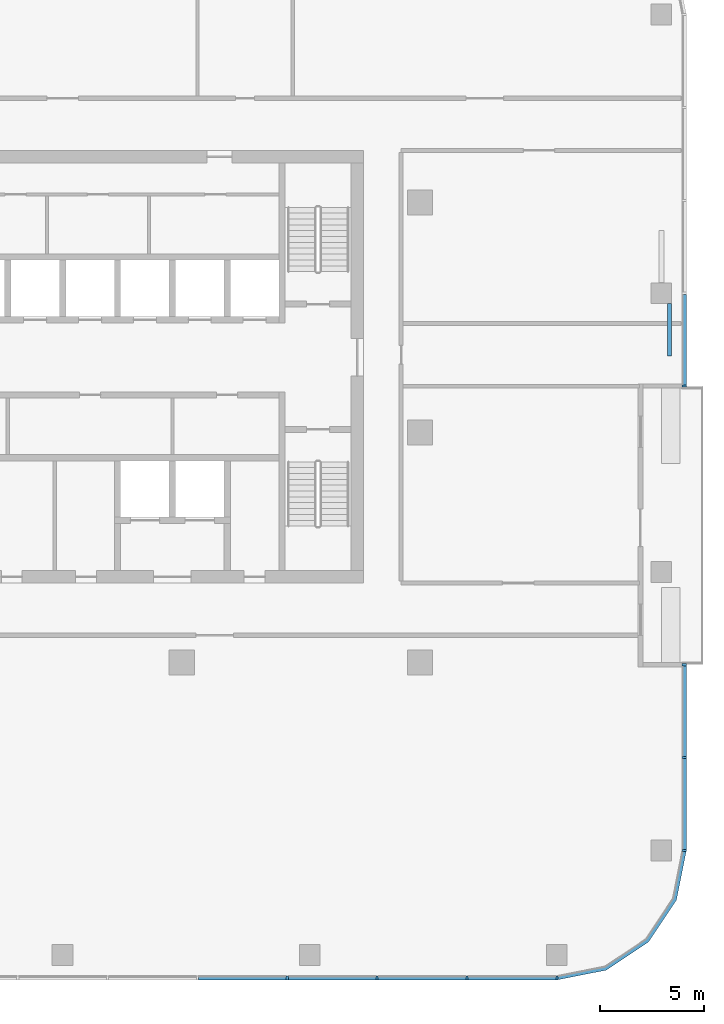
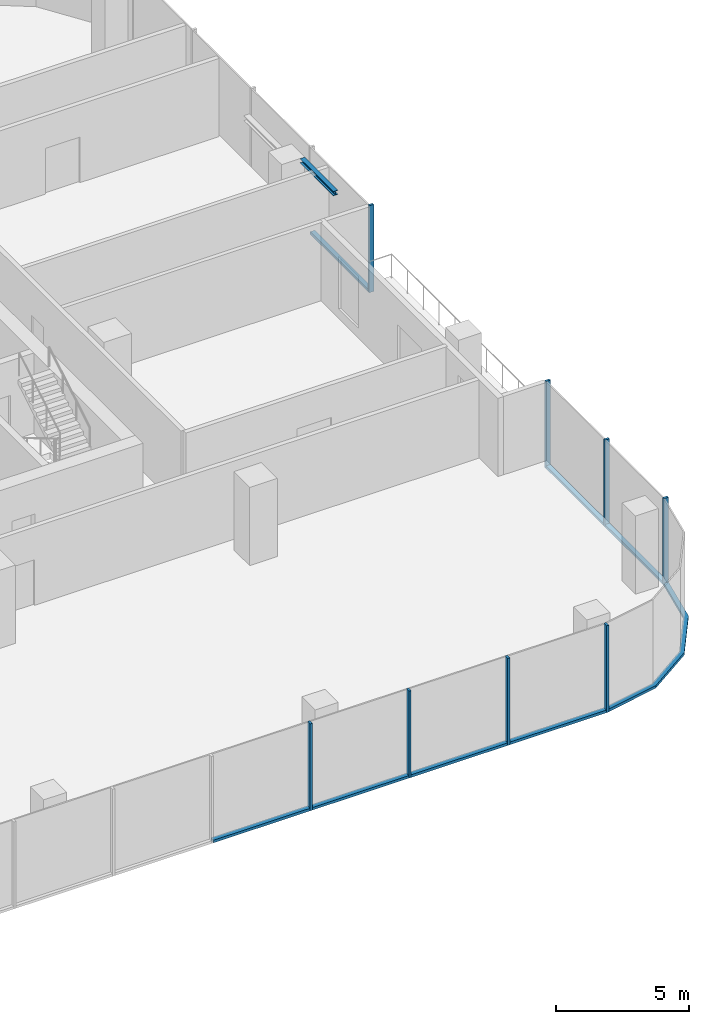
# One storey, part 3 of 13: 16 members, 1 beam, 4 elements without a shape of their own.
"""IFC4 building model written with IfcOpenShell, lengths in metres."""

import ifcopenshell
import ifcopenshell.guid

model = None  # the IFC model being written
_history = None  # IfcOwnerHistory: only IFC2X3 demands one
_inside = {}  # id of a spatial element -> (the spatial element, [elements in it])
_under = {}  # id of a project, library or spatial element -> (it, [spatial elements below it])
_declared = {}  # id of a project -> (the project, [libraries it declares])
_typed = {}  # id of a type object -> (the type object, [elements of that type])
_made_of = {}  # id of a material, layer set ... -> (it, [elements and type objects made of it])


def new_model(schema):
    """Start an empty IFC model of exactly this schema.

    Asked for "IFC4X3", IfcOpenShell would pick the latest addendum, in which some entities
    have other attributes; the version numbers below select the first issue.
    IFC2X3 requires an IfcOwnerHistory on every rooted entity: one is made here for all.
    """
    global model, _history
    if schema == "IFC4X3":
        model = ifcopenshell.file(schema_version=(4, 3, 0, 0))
    else:
        model = ifcopenshell.file(schema=schema)
    _inside.clear()
    _under.clear()
    _declared.clear()
    _typed.clear()
    _made_of.clear()
    _history = None
    if model.schema == "IFC2X3":
        org = make("IfcOrganization", Name="unknown")
        user = make(
            "IfcPersonAndOrganization",
            ThePerson=make("IfcPerson", FamilyName="unknown"),
            TheOrganization=org,
        )
        app = make(
            "IfcApplication",
            ApplicationDeveloper=org,
            Version="unknown",
            ApplicationFullName="unknown",
            ApplicationIdentifier="unknown",
        )
        _history = make(
            "IfcOwnerHistory",
            OwningUser=user,
            OwningApplication=app,
            ChangeAction="ADDED",
            CreationDate=0,
        )
    return model


def make(cls, **values):
    """One entity of the class cls with the attributes given. An attribute that is None is left unset."""
    return model.create_entity(
        cls, **{name: value for name, value in values.items() if value is not None}
    )


def rooted(cls, **values):
    """An entity with a GlobalId (a new one), such as an element, a storey or a relation."""
    return make(cls, GlobalId=ifcopenshell.guid.new(), OwnerHistory=_history, **values)


def si_unit(unit_type, name, prefix=None):
    """IfcSIUnit, for example si_unit("LENGTHUNIT", "METRE", prefix="MILLI")."""
    return make("IfcSIUnit", UnitType=unit_type, Prefix=prefix, Name=name)


def assignment(units):
    """IfcUnitAssignment: the units of a project."""
    return None if units is None else make("IfcUnitAssignment", Units=units)


def point(xyz):
    """IfcCartesianPoint."""
    return None if xyz is None else make("IfcCartesianPoint", Coordinates=xyz)


def direction(xyz):
    """IfcDirection."""
    return None if xyz is None else make("IfcDirection", DirectionRatios=xyz)


def frame(location, z_axis=None, x_axis=None):
    """IfcAxis2Placement3D, a coordinate frame: its origin and axes. An axis left out is left unset."""
    return make(
        "IfcAxis2Placement3D",
        Location=point(location),
        Axis=direction(z_axis),
        RefDirection=direction(x_axis),
    )


def frame_2d(location, x_axis=None):
    """IfcAxis2Placement2D, a coordinate frame in the plane: its origin and x axis."""
    return make(
        "IfcAxis2Placement2D", Location=point(location), RefDirection=direction(x_axis)
    )


def origin():
    """The frame at (0, 0, 0) with its axes left unset."""
    return frame((0.0, 0.0, 0.0))


def origin_2d():
    """The frame at (0, 0) in the plane with its x axis left unset."""
    return frame_2d((0.0, 0.0))


def place(relative_to, where):
    """IfcLocalPlacement: puts the frame where relative to a parent placement (None: the world)."""
    return make(
        "IfcLocalPlacement", PlacementRelTo=relative_to, RelativePlacement=where
    )


def context(
    kind, dimensions, precision=None, world=None, true_north=None, identifier=None
):
    """IfcGeometricRepresentationContext, for example the 3D "Model" context."""
    return make(
        "IfcGeometricRepresentationContext",
        ContextIdentifier=identifier,
        ContextType=kind,
        CoordinateSpaceDimension=dimensions,
        Precision=precision,
        WorldCoordinateSystem=world,
        TrueNorth=true_north,
    )


def subcontext(parent, identifier, kind, view, scale=None):
    """IfcGeometricRepresentationSubContext, for example "Body" below "Model"."""
    return make(
        "IfcGeometricRepresentationSubContext",
        ContextIdentifier=identifier,
        ContextType=kind,
        ParentContext=parent,
        TargetScale=scale,
        TargetView=view,
    )


def project(units=None, contexts=None):
    """IfcProject with its units and contexts."""
    return rooted(
        "IfcProject",
        Name="project",
        RepresentationContexts=contexts,
        UnitsInContext=assignment(units),
    )


def spatial(cls, under=None, at=None, **own):
    """A site, building, storey or space (cls), placed at a placement, below another one or the project."""
    s = rooted(cls, ObjectPlacement=at, **own)
    if under is not None:
        _under.setdefault(under.id(), (under, []))[1].append(s)
    return s


def polyline(points):
    """IfcPolyline through the points."""
    return make("IfcPolyline", Points=[point(p) for p in points])


def profile(cls, at=None, kind="AREA", **sizes):
    """A parametric profile (cls). Its sizes go by their IFC names, for example OverallWidth=200.0."""
    return make(cls, ProfileType=kind, Position=at, **sizes)


def rectangle(**sizes):
    """IfcRectangleProfileDef."""
    return profile("IfcRectangleProfileDef", **sizes)


def i_section(**sizes):
    """IfcIShapeProfileDef."""
    return profile("IfcIShapeProfileDef", **sizes)


def outline(outer, holes=None, kind="AREA"):
    """IfcArbitraryClosedProfileDef: a profile drawn as a closed curve; with holes, ...WithVoids."""
    if holes is None:
        return make("IfcArbitraryClosedProfileDef", ProfileType=kind, OuterCurve=outer)
    return make(
        "IfcArbitraryProfileDefWithVoids",
        ProfileType=kind,
        OuterCurve=outer,
        InnerCurves=holes,
    )


def extrude(swept, where, along, depth):
    """IfcExtrudedAreaSolid: the profile swept, set in the frame where, extruded along a direction by depth."""
    return make(
        "IfcExtrudedAreaSolid",
        SweptArea=swept,
        Position=where,
        ExtrudedDirection=direction(along),
        Depth=depth,
    )


def shape(context_of_items, identifier, shape_type, items):
    """IfcShapeRepresentation: the items that make up one representation, for example the "Body"."""
    return make(
        "IfcShapeRepresentation",
        ContextOfItems=context_of_items,
        RepresentationIdentifier=identifier,
        RepresentationType=shape_type,
        Items=items,
    )


def material(Name=None, Category=None):
    """IfcMaterial."""
    return make("IfcMaterial", Name=Name, Category=Category)


def material_profile(
    of_material, cross_section, Name=None, Category=None, Priority=None
):
    """IfcMaterialProfile: a cross section and its material."""
    return make(
        "IfcMaterialProfile",
        Name=Name,
        Material=of_material,
        Profile=cross_section,
        Priority=Priority,
        Category=Category,
    )


def profile_set(profiles, Name=None, composite=None):
    """IfcMaterialProfileSet."""
    return make(
        "IfcMaterialProfileSet",
        Name=Name,
        MaterialProfiles=profiles,
        CompositeProfile=composite,
    )


def made_of(thing, what):
    """Note that an element or type object is made of a material, layer set ...; save() writes the relation."""
    if what is not None:
        _made_of.setdefault(what.id(), (what, []))[1].append(thing)
    return thing


def type_object(cls, material=None, **own):
    """A type object (cls), such as IfcWallType, which elements share."""
    return made_of(rooted(cls, **own), material)


def element(
    cls,
    number,
    at=None,
    inside=None,
    cuts=None,
    type_object=None,
    material=None,
    context=None,
    identifier="Body",
    shape_type=None,
    held_by="IfcProductDefinitionShape",
    body=None,
    shapes=None,
    **own,
):
    """One element of the class cls, such as IfcWall. Its Tag is "e" and its number.

    at: its placement. inside: the storey or other place that contains it. cuts: it is an
    opening in that element (IfcRelVoidsElement). A single representation is given by context,
    identifier, shape_type and body (its items); several are given by shapes. held_by: the class
    of the entity that holds the representations. save() writes the other relations.
    """
    e = rooted(cls, Tag="e%d" % number, ObjectPlacement=at, **own)
    if body is not None:
        shapes = [shape(context, identifier, shape_type, body)]
    if shapes is not None:
        e.Representation = make(held_by, Representations=shapes)
    if inside is not None:
        _inside.setdefault(inside.id(), (inside, []))[1].append(e)
    if cuts is not None:
        rooted(
            "IfcRelVoidsElement", RelatingBuildingElement=cuts, RelatedOpeningElement=e
        )
    if type_object is not None:
        _typed.setdefault(type_object.id(), (type_object, []))[1].append(e)
    return made_of(e, material)


def aggregate(whole, parts):
    """IfcRelAggregates: a whole, such as a stair, and the parts it consists of."""
    return rooted("IfcRelAggregates", RelatingObject=whole, RelatedObjects=parts)


def save(model, path):
    """Write the relations noted so far, then the file.

    IfcRelAggregates (storeys below a building ...), IfcRelContainedInSpatialStructure (elements
    in a storey), IfcRelDefinesByType, IfcRelAssociatesMaterial and IfcRelDeclares: one each for
    every whole, place, type object, material and project.
    """
    for whole, parts in _under.values():
        aggregate(whole, parts)
    for where, things in _inside.values():
        rooted(
            "IfcRelContainedInSpatialStructure",
            RelatedElements=things,
            RelatingStructure=where,
        )
    for kind, things in _typed.values():
        rooted("IfcRelDefinesByType", RelatedObjects=things, RelatingType=kind)
    for what, things in _made_of.values():
        rooted("IfcRelAssociatesMaterial", RelatedObjects=things, RelatingMaterial=what)
    for by, libraries in _declared.values():
        rooted("IfcRelDeclares", RelatingContext=by, RelatedDefinitions=libraries)
    model.write(path)


model = new_model("IFC4")

# Units and contexts
model_context = context("Model", 3, precision=1e-05, world=origin(), true_north=direction((0.0, 1.0)))
body_context = subcontext(model_context, "Body", "Model", "MODEL_VIEW")
ifc_project = project(units=[si_unit("LENGTHUNIT", "METRE"), si_unit("AREAUNIT", "SQUARE_METRE"), si_unit("VOLUMEUNIT", "CUBIC_METRE"), si_unit("PLANEANGLEUNIT", "RADIAN"), si_unit("MASSUNIT", "GRAM", prefix="KILO")], contexts=[model_context])

# Site, building, storey
site_placement = place(None, origin())
site = spatial("IfcSite", under=ifc_project, at=site_placement, CompositionType="ELEMENT")
building_placement = place(site_placement, origin())
building = spatial("IfcBuilding", under=site, at=building_placement, Name="Mopane Tessera Tower", CompositionType="ELEMENT")
storey_placement = place(building_placement, frame((0.0, 0.0, 287.39990234375)))
storey = spatial("IfcBuildingStorey", under=building, at=storey_placement, Name="L62", CompositionType="ELEMENT", Elevation=287.39990234375)

# Curtain wall, members
ifc_material_1 = material(Name="Aluminium frame", Category="aluminium")
curtain_wall_type = type_object("IfcCurtainWallType", Name="Unitised curtain wall", PredefinedType="NOTDEFINED", material=ifc_material_1)
curtain_wall_1_placement = place(storey_placement, origin())
curtain_wall_1 = element("IfcCurtainWall", 1, at=curtain_wall_1_placement, inside=storey, type_object=curtain_wall_type, Name="e:cw:L62:S:0", PredefinedType="NOTDEFINED")
ifc_material_2 = material(Name="Aluminium frame", Category="aluminium")
ifc_material_profile_1 = material_profile(ifc_material_2, rectangle(XDim=0.10009765625, YDim=0.199951171875, at=origin_2d()))
ifc_profile_set_1 = profile_set([ifc_material_profile_1], Name="Aluminium frame")
member_type_1 = type_object("IfcMemberType", Name="Aluminium mullion 100 x 200", PredefinedType="MULLION", material=ifc_profile_set_1)
member_1_placement = place(storey_placement, frame((10.75, -26.10009765625, -0.39990234375), z_axis=(0.0, 0.0, 1.0), x_axis=(1.0, 0.0, 0.0)))
member_1 = element("IfcMember", 2, at=member_1_placement, type_object=member_type_1, Name="e:cw:L62:S:0:mu8", PredefinedType="MULLION", context=body_context, shape_type="SweptSolid", body=[
    extrude(rectangle(XDim=0.10009765625, YDim=0.199951171875, at=origin_2d()), origin(), (0.0, 0.0, 1.0), 4.0),
])
member_2_placement = place(storey_placement, frame((15.050048828125, -26.10009765625, -0.39990234375), z_axis=(0.0, 0.0, 1.0), x_axis=(1.0, 0.0, 0.0)))
member_2 = element("IfcMember", 3, at=member_2_placement, type_object=member_type_1, Name="e:cw:L62:S:0:mu9", PredefinedType="MULLION", context=body_context, shape_type="SweptSolid", body=[
    extrude(rectangle(XDim=0.10009765625, YDim=0.199951171875, at=origin_2d()), origin(), (0.0, 0.0, 1.0), 4.0),
])
member_3_placement = place(storey_placement, frame((19.35009765625, -26.10009765625, -0.39990234375), z_axis=(0.0, 0.0, 1.0), x_axis=(1.0, 0.0, 0.0)))
member_3 = element("IfcMember", 4, at=member_3_placement, type_object=member_type_1, Name="e:cw:L62:S:0:mu10", PredefinedType="MULLION", context=body_context, shape_type="SweptSolid", body=[
    extrude(rectangle(XDim=0.10009765625, YDim=0.199951171875, at=origin_2d()), origin(), (0.0, 0.0, 1.0), 4.0),
])
member_4_placement = place(storey_placement, frame((23.64990234375, -26.10009765625, -0.39990234375), z_axis=(0.0, 0.0, 1.0), x_axis=(1.0, 0.0, 0.0)))
member_4 = element("IfcMember", 5, at=member_4_placement, type_object=member_type_1, Name="e:cw:L62:S:0:mu11", PredefinedType="MULLION", context=body_context, shape_type="SweptSolid", body=[
    extrude(rectangle(XDim=0.10009765625, YDim=0.199951171875, at=origin_2d()), origin(), (0.0, 0.0, 1.0), 4.0),
])

curtain_wall_2_placement = place(storey_placement, origin())
curtain_wall_2 = element("IfcCurtainWall", 6, at=curtain_wall_2_placement, inside=storey, type_object=curtain_wall_type, Name="e:cw:L62:E:0", PredefinedType="NOTDEFINED")
member_5_placement = place(storey_placement, frame((29.75, -20.0, -0.39990234375), z_axis=(0.0, 0.0, 1.0), x_axis=(0.0, 1.0, 0.0)))
member_5 = element("IfcMember", 7, at=member_5_placement, type_object=member_type_1, Name="e:cw:L62:E:0:mu0", PredefinedType="MULLION", context=body_context, shape_type="SweptSolid", body=[
    extrude(rectangle(XDim=0.10009765625, YDim=0.199951171875, at=origin_2d()), origin(), (0.0, 0.0, 1.0), 4.0),
])
member_6_placement = place(storey_placement, frame((29.75, -15.5556640625, -0.39990234375), z_axis=(0.0, 0.0, 1.0), x_axis=(0.0, 1.0, 0.0)))
member_6 = element("IfcMember", 8, at=member_6_placement, type_object=member_type_1, Name="e:cw:L62:E:0:mu1", PredefinedType="MULLION", context=body_context, shape_type="SweptSolid", body=[
    extrude(rectangle(XDim=0.10009765625, YDim=0.199951171875, at=origin_2d()), origin(), (0.0, 0.0, 1.0), 4.0),
])
member_7_placement = place(storey_placement, frame((29.75, -11.111083984375, -0.39990234375), z_axis=(0.0, 0.0, 1.0), x_axis=(0.0, 1.0, 0.0)))
member_7 = element("IfcMember", 9, at=member_7_placement, type_object=member_type_1, Name="e:cw:L62:E:0:mu2", PredefinedType="MULLION", context=body_context, shape_type="SweptSolid", body=[
    extrude(rectangle(XDim=0.10009765625, YDim=0.199951171875, at=origin_2d()), origin(), (0.0, 0.0, 1.0), 4.0),
])

# Curtain wall, member
curtain_wall_3_placement = place(storey_placement, origin())
curtain_wall_3 = element("IfcCurtainWall", 10, at=curtain_wall_3_placement, inside=storey, type_object=curtain_wall_type, Name="e:cw:L62:E:5", PredefinedType="NOTDEFINED")
member_8_placement = place(storey_placement, frame((29.75, 2.22216796875, -0.39990234375), z_axis=(0.0, 0.0, 1.0), x_axis=(0.0, 1.0, 0.0)))
member_8 = element("IfcMember", 11, at=member_8_placement, type_object=member_type_1, Name="e:cw:L62:E:5:mu5", PredefinedType="MULLION", context=body_context, shape_type="SweptSolid", body=[
    extrude(rectangle(XDim=0.10009765625, YDim=0.199951171875, at=origin_2d()), origin(), (0.0, 0.0, 1.0), 4.0),
])

# Member
ifc_material_3 = material(Name="Aluminium frame", Category="aluminium")
ifc_material_profile_2 = material_profile(ifc_material_3, rectangle(XDim=0.199951171875, YDim=0.1201171875, at=origin_2d()))
ifc_profile_set_2 = profile_set([ifc_material_profile_2], Name="Aluminium frame")
member_type_2 = type_object("IfcMemberType", Name="Aluminium transom 200 x 120", PredefinedType="USERDEFINED", material=ifc_profile_set_2)
member_9_placement = place(storey_placement, frame((6.5, -26.10009765625, -0.33984375), z_axis=(1.0, 0.0, 0.0), x_axis=(0.0, 1.0, 0.0)))
member_9 = element("IfcMember", 12, at=member_9_placement, type_object=member_type_2, Name="e:cw:L62:S:0:tr7", ObjectType="TRANSOM", PredefinedType="USERDEFINED", context=body_context, shape_type="SweptSolid", body=[
    extrude(rectangle(XDim=0.199951171875, YDim=0.1201171875, at=origin_2d()), origin(), (0.0, 0.0, 1.0), 4.199951171875),
])

member_10_placement = place(storey_placement, frame((10.800048828125, -26.10009765625, -0.33984375), z_axis=(1.0, 0.0, 0.0), x_axis=(0.0, 1.0, 0.0)))
member_10 = element("IfcMember", 13, at=member_10_placement, type_object=member_type_2, Name="e:cw:L62:S:0:tr8", ObjectType="TRANSOM", PredefinedType="USERDEFINED", context=body_context, shape_type="SweptSolid", body=[
    extrude(rectangle(XDim=0.199951171875, YDim=0.1201171875, at=origin_2d()), origin(), (0.0, 0.0, 1.0), 4.199951171875),
])

member_11_placement = place(storey_placement, frame((15.10009765625, -26.10009765625, -0.33984375), z_axis=(1.0, 0.0, 0.0), x_axis=(0.0, 1.0, 0.0)))
member_11 = element("IfcMember", 14, at=member_11_placement, type_object=member_type_2, Name="e:cw:L62:S:0:tr9", ObjectType="TRANSOM", PredefinedType="USERDEFINED", context=body_context, shape_type="SweptSolid", body=[
    extrude(rectangle(XDim=0.199951171875, YDim=0.1201171875, at=origin_2d()), origin(), (0.0, 0.0, 1.0), 4.199951171875),
])

member_12_placement = place(storey_placement, frame((19.39990234375, -26.10009765625, -0.33984375), z_axis=(1.0, 0.0, 0.0), x_axis=(0.0, 1.0, 0.0)))
member_12 = element("IfcMember", 15, at=member_12_placement, type_object=member_type_2, Name="e:cw:L62:S:0:tr10", ObjectType="TRANSOM", PredefinedType="USERDEFINED", context=body_context, shape_type="SweptSolid", body=[
    extrude(rectangle(XDim=0.199951171875, YDim=0.1201171875, at=origin_2d()), origin(), (0.0, 0.0, 1.0), 4.2001953125),
])

aggregate(curtain_wall_1, [member_1, member_2, member_3, member_4, member_9, member_10, member_11, member_12])

# Curtain wall, member
curtain_wall_4_placement = place(storey_placement, origin())
curtain_wall_4 = element("IfcCurtainWall", 16, at=curtain_wall_4_placement, inside=storey, type_object=curtain_wall_type, Name="e:cw:L62:CS", PredefinedType="NOTDEFINED")
member_13_placement = place(storey_placement, frame((0.0, 0.0, -0.39990234375)))
member_13 = element("IfcMember", 17, at=member_13_placement, type_object=member_type_2, Name="e:cw:L62:CS:tr", ObjectType="TRANSOM", PredefinedType="USERDEFINED", context=body_context, shape_type="SweptSolid", body=[
    extrude(outline(polyline([(23.64990234375, -26.0), (25.946044921875, -25.543212890625), (27.892578125, -24.24267578125), (29.193359375, -22.296142578125), (29.64990234375, -20.0), (29.85009765625, -20.0), (29.378173828125, -22.37255859375), (28.0341796875, -24.384033203125), (26.022705078125, -25.72802734375), (23.64990234375, -26.199951171875), (23.64990234375, -26.0)])), origin(), (0.0, 0.0, 1.0), 0.1201171875),
])
aggregate(curtain_wall_4, [member_13])

# Member
member_14_placement = place(storey_placement, frame((29.75, -19.949951171875, -0.33984375), z_axis=(0.0, 1.0, 0.0), x_axis=(-1.0, 0.0, 0.0)))
member_14 = element("IfcMember", 18, at=member_14_placement, type_object=member_type_2, Name="e:cw:L62:E:0:tr0", ObjectType="TRANSOM", PredefinedType="USERDEFINED", context=body_context, shape_type="SweptSolid", body=[
    extrude(rectangle(XDim=0.199951171875, YDim=0.1201171875, at=origin_2d()), origin(), (0.0, 0.0, 1.0), 4.344482421875),
])

member_15_placement = place(storey_placement, frame((29.75, -15.505615234375, -0.33984375), z_axis=(0.0, 1.0, 0.0), x_axis=(-1.0, 0.0, 0.0)))
member_15 = element("IfcMember", 19, at=member_15_placement, type_object=member_type_2, Name="e:cw:L62:E:0:tr1", ObjectType="TRANSOM", PredefinedType="USERDEFINED", context=body_context, shape_type="SweptSolid", body=[
    extrude(rectangle(XDim=0.199951171875, YDim=0.1201171875, at=origin_2d()), origin(), (0.0, 0.0, 1.0), 4.344482421875),
])

aggregate(curtain_wall_2, [member_5, member_6, member_7, member_14, member_15])

member_16_placement = place(storey_placement, frame((29.75, 2.272216796875, -0.33984375), z_axis=(0.0, 1.0, 0.0), x_axis=(-1.0, 0.0, 0.0)))
member_16 = element("IfcMember", 20, at=member_16_placement, type_object=member_type_2, Name="e:cw:L62:E:5:tr5", ObjectType="TRANSOM", PredefinedType="USERDEFINED", context=body_context, shape_type="SweptSolid", body=[
    extrude(rectangle(XDim=0.199951171875, YDim=0.1201171875, at=origin_2d()), origin(), (0.0, 0.0, 1.0), 4.344482421875),
])

aggregate(curtain_wall_3, [member_8, member_16])

# Beam
ifc_material_4 = material(Name="Structural steel S460", Category="steel")
ifc_material_profile_3 = material_profile(ifc_material_4, i_section(OverallWidth=0.199951171875, OverallDepth=0.199951171875, WebThickness=0.009033203125, FlangeThickness=0.014892578125, FilletRadius=0.01806640625, at=origin_2d()))
ifc_profile_set_3 = profile_set([ifc_material_profile_3], Name="Structural steel S460")
beam_type = type_object("IfcBeamType", Name="Terrace trimmer beam HE 200 B", PredefinedType="BEAM", material=ifc_profile_set_3)
beam_placement = place(storey_placement, frame((29.0498046875, 6.163818359375, 3.5), z_axis=(0.0, -1.0, 0.0), x_axis=(1.0, 0.0, 0.0)))
element("IfcBeam", 21, at=beam_placement, inside=storey, type_object=beam_type, Name="Terrace trimmer beam N1 L63", PredefinedType="BEAM", context=body_context, shape_type="SweptSolid", body=[
    extrude(i_section(OverallWidth=0.199951171875, OverallDepth=0.199951171875, WebThickness=0.009033203125, FlangeThickness=0.014892578125, FilletRadius=0.01806640625, at=origin_2d()), origin(), (0.0, 0.0, 1.0), 2.5),
])

save(model, "model.ifc")
